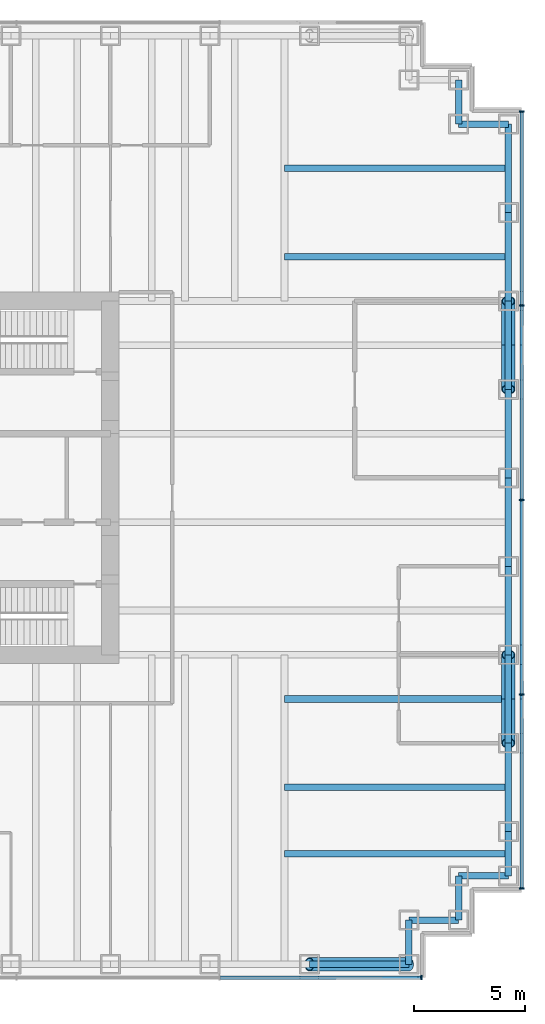
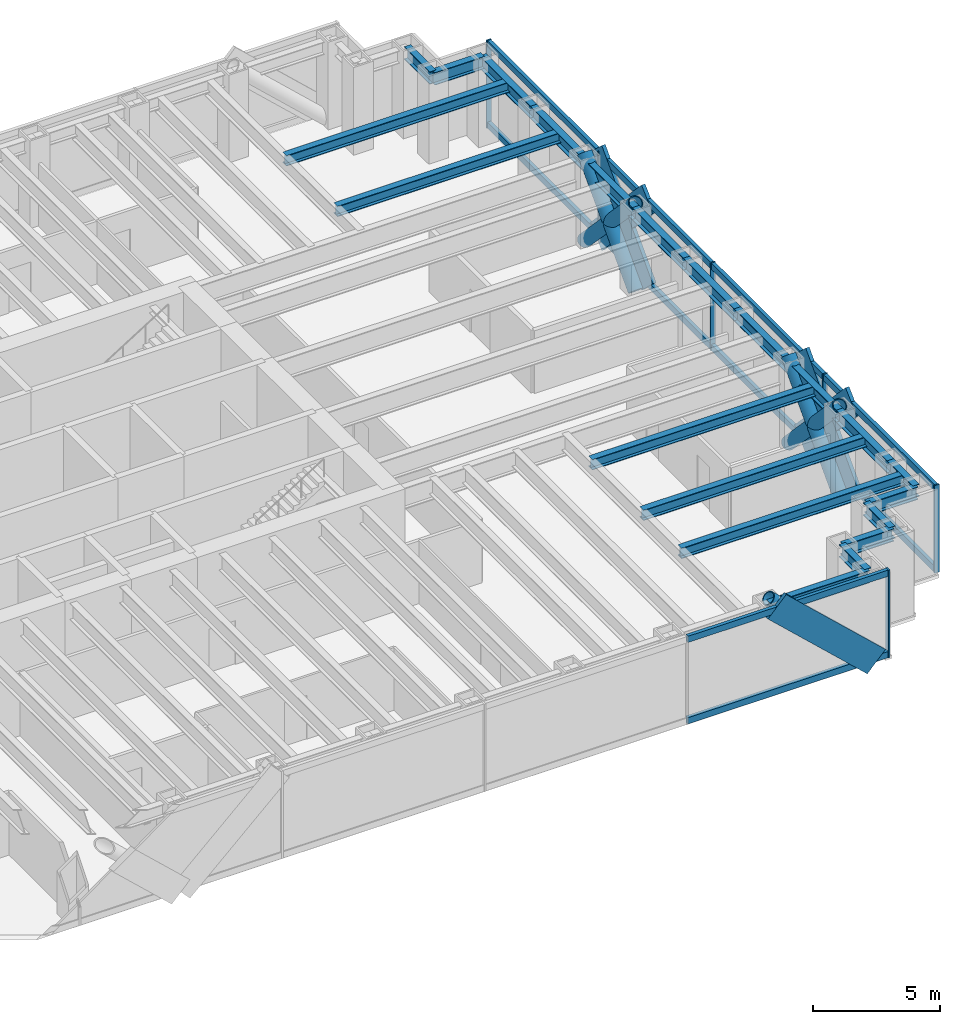
# One storey, part 7 of 18: 26 members, 21 beams, 2 elements without a shape of their own.
"""IFC4 building model written with IfcOpenShell, lengths in metres."""

from ifc_helpers import new_model, si_unit, direction, frame, origin, origin_2d, place, context, subcontext, project, spatial, rectangle, hollow_circle, i_section, extrude, material, material_profile, profile_set, type_object, element, aggregate, save


model = new_model("IFC4")

# Units and contexts
model_context = context("Model", 3, precision=1e-05, world=origin(), true_north=direction((0.0, 1.0)))
body_context = subcontext(model_context, "Body", "Model", "MODEL_VIEW")
ifc_project = project(units=[si_unit("LENGTHUNIT", "METRE"), si_unit("AREAUNIT", "SQUARE_METRE"), si_unit("VOLUMEUNIT", "CUBIC_METRE"), si_unit("PLANEANGLEUNIT", "RADIAN"), si_unit("MASSUNIT", "GRAM", prefix="KILO")], contexts=[model_context])

# Site, building, storey
site_placement = place(None, origin())
site = spatial("IfcSite", under=ifc_project, at=site_placement, CompositionType="ELEMENT")
building_placement = place(site_placement, origin())
building = spatial("IfcBuilding", under=site, at=building_placement, Name="Rheinbord Bourse Tower", CompositionType="ELEMENT")
storey_placement = place(building_placement, frame((0.0, 0.0, 244.60009765625)))
storey = spatial("IfcBuildingStorey", under=building, at=storey_placement, Name="L55", CompositionType="ELEMENT", Elevation=244.60009765625)

# Curtain wall, member
ifc_material_1 = material(Name="Dark glass and black aluminium", Category="aluminium")
curtain_wall_type = type_object("IfcCurtainWallType", Name="CW2 DARK GLASS CURTAIN WALL", PredefinedType="USERDEFINED", material=ifc_material_1)
curtain_wall_1_placement = place(storey_placement, origin())
curtain_wall_1 = element("IfcCurtainWall", 1, at=curtain_wall_1_placement, inside=storey, type_object=curtain_wall_type, Name="Curtain wall CW2 S L55", ObjectType="UNITISED CURTAIN WALL", PredefinedType="USERDEFINED")
ifc_material_2 = material(Name="Black anodised aluminium", Category="aluminium")
ifc_material_profile_1 = material_profile(ifc_material_2, rectangle(XDim=0.159912109375, YDim=1.2099609375, at=origin_2d()), Name="CW2 DIAGONAL MULLION 1210x160")
ifc_profile_set_1 = profile_set([ifc_material_profile_1], Name="Black anodised aluminium")
member_type_1 = type_object("IfcMemberType", Name="CW2 BLACK DIAGONAL MULLION", PredefinedType="USERDEFINED", material=ifc_profile_set_1)
member_1_placement = place(storey_placement, frame((67.5, 1.39990234375, 0.0), z_axis=(-0.73105922506, 0.0, 0.682314010889), x_axis=(0.0, -1.0, 0.0)))
member_1 = element("IfcMember", 2, at=member_1_placement, type_object=member_type_1, Name="CW2 diagonal mullion b", ObjectType="DIAGONAL MULLION", PredefinedType="USERDEFINED", context=body_context, shape_type="SweptSolid", body=[
    extrude(rectangle(XDim=0.159912109375, YDim=1.2099609375, at=origin_2d()), origin(), (0.0, 0.0, 1.0), 6.155517578125),
])

# Curtain wall, members
curtain_wall_2_placement = place(storey_placement, origin())
curtain_wall_2 = element("IfcCurtainWall", 3, at=curtain_wall_2_placement, inside=storey, type_object=curtain_wall_type, Name="Curtain wall CW2 E L55", ObjectType="UNITISED CURTAIN WALL", PredefinedType="USERDEFINED")
member_2_placement = place(storey_placement, frame((72.60009765625, 12.0, 0.0), z_axis=(0.0, 0.689659376744, 0.724133926887), x_axis=(-1.0, 0.0, 0.0)))
member_2 = element("IfcMember", 4, at=member_2_placement, type_object=member_type_1, Name="CW2 diagonal mullion a", ObjectType="DIAGONAL MULLION", PredefinedType="USERDEFINED", context=body_context, shape_type="SweptSolid", body=[
    extrude(rectangle(XDim=0.159912109375, YDim=1.2099609375, at=origin_2d()), origin(), (0.0, 0.0, 1.0), 5.800048828125),
])
member_3_placement = place(storey_placement, frame((72.60009765625, 32.0, 0.0), z_axis=(0.0, -0.689659376744, 0.724133926887), x_axis=(1.0, 0.0, 0.0)))
member_3 = element("IfcMember", 5, at=member_3_placement, type_object=member_type_1, Name="CW2 diagonal mullion b", ObjectType="DIAGONAL MULLION", PredefinedType="USERDEFINED", context=body_context, shape_type="SweptSolid", body=[
    extrude(rectangle(XDim=0.159912109375, YDim=1.2099609375, at=origin_2d()), origin(), (0.0, 0.0, 1.0), 5.800048828125),
])
member_4_placement = place(storey_placement, frame((72.60009765625, 28.0, 0.0), z_axis=(0.0, 0.689659376744, 0.724133926887), x_axis=(-1.0, 0.0, 0.0)))
member_4 = element("IfcMember", 6, at=member_4_placement, type_object=member_type_1, Name="CW2 diagonal mullion c", ObjectType="DIAGONAL MULLION", PredefinedType="USERDEFINED", context=body_context, shape_type="SweptSolid", body=[
    extrude(rectangle(XDim=0.159912109375, YDim=1.2099609375, at=origin_2d()), origin(), (0.0, 0.0, 1.0), 5.800048828125),
])
member_5_placement = place(storey_placement, frame((72.60009765625, 16.0, 0.0), z_axis=(0.0, -0.689659376744, 0.724133926887), x_axis=(1.0, 0.0, 0.0)))
member_5 = element("IfcMember", 7, at=member_5_placement, type_object=member_type_1, Name="CW2 diagonal mullion d", ObjectType="DIAGONAL MULLION", PredefinedType="USERDEFINED", context=body_context, shape_type="SweptSolid", body=[
    extrude(rectangle(XDim=0.159912109375, YDim=1.2099609375, at=origin_2d()), origin(), (0.0, 0.0, 1.0), 5.800048828125),
])

# Member
ifc_material_3 = material(Name="Black anodised aluminium", Category="aluminium")
ifc_material_profile_2 = material_profile(ifc_material_3, rectangle(XDim=0.219970703125, YDim=0.070068359375, at=origin_2d()), Name="CW2 MULLION 70x220")
ifc_profile_set_2 = profile_set([ifc_material_profile_2], Name="Black anodised aluminium")
member_type_2 = type_object("IfcMemberType", Name="CW2 BLACK MULLION", PredefinedType="MULLION", material=ifc_profile_set_2)
member_6_placement = place(storey_placement, frame((68.06494140625, 1.39990234375, 0.0), z_axis=(0.0, 0.0, 1.0), x_axis=(0.0, 1.0, 0.0)))
member_6 = element("IfcMember", 8, at=member_6_placement, type_object=member_type_2, Name="CW2 mullion 8", PredefinedType="MULLION", context=body_context, shape_type="SweptSolid", body=[
    extrude(rectangle(XDim=0.219970703125, YDim=0.070068359375, at=origin_2d()), origin(), (0.0, 0.0, 1.0), 4.199951171875),
])

member_7_placement = place(storey_placement, frame((72.60009765625, 5.43505859375, 0.0), z_axis=(0.0, 0.0, 1.0), x_axis=(-1.0, 0.0, 0.0)))
member_7 = element("IfcMember", 9, at=member_7_placement, type_object=member_type_2, Name="CW2 mullion 1", PredefinedType="MULLION", context=body_context, shape_type="SweptSolid", body=[
    extrude(rectangle(XDim=0.219970703125, YDim=0.070068359375, at=origin_2d()), origin(), (0.0, 0.0, 1.0), 4.199951171875),
])

member_8_placement = place(storey_placement, frame((72.60009765625, 14.199951171875, 0.0), z_axis=(0.0, 0.0, 1.0), x_axis=(-1.0, 0.0, 0.0)))
member_8 = element("IfcMember", 10, at=member_8_placement, type_object=member_type_2, Name="CW2 mullion 2", PredefinedType="MULLION", context=body_context, shape_type="SweptSolid", body=[
    extrude(rectangle(XDim=0.219970703125, YDim=0.070068359375, at=origin_2d()), origin(), (0.0, 0.0, 1.0), 4.199951171875),
])

member_9_placement = place(storey_placement, frame((72.60009765625, 23.0, 0.0), z_axis=(0.0, 0.0, 1.0), x_axis=(-1.0, 0.0, 0.0)))
member_9 = element("IfcMember", 11, at=member_9_placement, type_object=member_type_2, Name="CW2 mullion 3", PredefinedType="MULLION", context=body_context, shape_type="SweptSolid", body=[
    extrude(rectangle(XDim=0.219970703125, YDim=0.070068359375, at=origin_2d()), origin(), (0.0, 0.0, 1.0), 4.199951171875),
])

member_10_placement = place(storey_placement, frame((72.60009765625, 31.800048828125, 0.0), z_axis=(0.0, 0.0, 1.0), x_axis=(-1.0, 0.0, 0.0)))
member_10 = element("IfcMember", 12, at=member_10_placement, type_object=member_type_2, Name="CW2 mullion 4", PredefinedType="MULLION", context=body_context, shape_type="SweptSolid", body=[
    extrude(rectangle(XDim=0.219970703125, YDim=0.070068359375, at=origin_2d()), origin(), (0.0, 0.0, 1.0), 4.199951171875),
])

member_11_placement = place(storey_placement, frame((72.60009765625, 40.56494140625, 0.0), z_axis=(0.0, 0.0, 1.0), x_axis=(-1.0, 0.0, 0.0)))
member_11 = element("IfcMember", 13, at=member_11_placement, type_object=member_type_2, Name="CW2 mullion 5", PredefinedType="MULLION", context=body_context, shape_type="SweptSolid", body=[
    extrude(rectangle(XDim=0.219970703125, YDim=0.070068359375, at=origin_2d()), origin(), (0.0, 0.0, 1.0), 4.199951171875),
])

ifc_material_4 = material(Name="Black anodised aluminium", Category="aluminium")
ifc_material_profile_3 = material_profile(ifc_material_4, rectangle(XDim=0.159912109375, YDim=0.300048828125, at=origin_2d()), Name="CW2 TRANSOM 300x160")
ifc_profile_set_3 = profile_set([ifc_material_profile_3], Name="Black anodised aluminium")
member_type_3 = type_object("IfcMemberType", Name="CW2 BLACK TRANSOM", PredefinedType="USERDEFINED", material=ifc_profile_set_3)
member_12_placement = place(storey_placement, frame((58.963623046875, 1.39990234375, 0.14990234375), z_axis=(1.0, 0.0, 0.0), x_axis=(0.0, 1.0, 0.0)))
member_12 = element("IfcMember", 14, at=member_12_placement, type_object=member_type_3, Name="CW2 transom 7.1", ObjectType="TRANSOM", PredefinedType="USERDEFINED", context=body_context, shape_type="SweptSolid", body=[
    extrude(rectangle(XDim=0.159912109375, YDim=0.300048828125, at=origin_2d()), origin(), (0.0, 0.0, 1.0), 9.06640625),
])

member_13_placement = place(storey_placement, frame((58.963623046875, 1.39990234375, 4.0498046875), z_axis=(1.0, 0.0, 0.0), x_axis=(0.0, 1.0, 0.0)))
member_13 = element("IfcMember", 15, at=member_13_placement, type_object=member_type_3, Name="CW2 transom 7.2", ObjectType="TRANSOM", PredefinedType="USERDEFINED", context=body_context, shape_type="SweptSolid", body=[
    extrude(rectangle(XDim=0.159912109375, YDim=0.300048828125, at=origin_2d()), origin(), (0.0, 0.0, 1.0), 9.06640625),
])

aggregate(curtain_wall_1, [member_6, member_12, member_13, member_1])

member_14_placement = place(storey_placement, frame((72.60009765625, 5.469970703125, 0.14990234375), z_axis=(0.0, 1.0, 0.0), x_axis=(-1.0, 0.0, 0.0)))
member_14 = element("IfcMember", 16, at=member_14_placement, type_object=member_type_3, Name="CW2 transom 1.1", ObjectType="TRANSOM", PredefinedType="USERDEFINED", context=body_context, shape_type="SweptSolid", body=[
    extrude(rectangle(XDim=0.159912109375, YDim=0.300048828125, at=origin_2d()), origin(), (0.0, 0.0, 1.0), 8.695068359375),
])

member_15_placement = place(storey_placement, frame((72.60009765625, 5.469970703125, 4.0498046875), z_axis=(0.0, 1.0, 0.0), x_axis=(-1.0, 0.0, 0.0)))
member_15 = element("IfcMember", 17, at=member_15_placement, type_object=member_type_3, Name="CW2 transom 1.2", ObjectType="TRANSOM", PredefinedType="USERDEFINED", context=body_context, shape_type="SweptSolid", body=[
    extrude(rectangle(XDim=0.159912109375, YDim=0.300048828125, at=origin_2d()), origin(), (0.0, 0.0, 1.0), 8.695068359375),
])

member_16_placement = place(storey_placement, frame((72.60009765625, 14.235107421875, 0.14990234375), z_axis=(0.0, 1.0, 0.0), x_axis=(-1.0, 0.0, 0.0)))
member_16 = element("IfcMember", 18, at=member_16_placement, type_object=member_type_3, Name="CW2 transom 2.1", ObjectType="TRANSOM", PredefinedType="USERDEFINED", context=body_context, shape_type="SweptSolid", body=[
    extrude(rectangle(XDim=0.159912109375, YDim=0.300048828125, at=origin_2d()), origin(), (0.0, 0.0, 1.0), 8.72998046875),
])

member_17_placement = place(storey_placement, frame((72.60009765625, 14.235107421875, 4.0498046875), z_axis=(0.0, 1.0, 0.0), x_axis=(-1.0, 0.0, 0.0)))
member_17 = element("IfcMember", 19, at=member_17_placement, type_object=member_type_3, Name="CW2 transom 2.2", ObjectType="TRANSOM", PredefinedType="USERDEFINED", context=body_context, shape_type="SweptSolid", body=[
    extrude(rectangle(XDim=0.159912109375, YDim=0.300048828125, at=origin_2d()), origin(), (0.0, 0.0, 1.0), 8.72998046875),
])

member_18_placement = place(storey_placement, frame((72.60009765625, 23.034912109375, 0.14990234375), z_axis=(0.0, 1.0, 0.0), x_axis=(-1.0, 0.0, 0.0)))
member_18 = element("IfcMember", 20, at=member_18_placement, type_object=member_type_3, Name="CW2 transom 3.1", ObjectType="TRANSOM", PredefinedType="USERDEFINED", context=body_context, shape_type="SweptSolid", body=[
    extrude(rectangle(XDim=0.159912109375, YDim=0.300048828125, at=origin_2d()), origin(), (0.0, 0.0, 1.0), 8.72998046875),
])

member_19_placement = place(storey_placement, frame((72.60009765625, 23.034912109375, 4.0498046875), z_axis=(0.0, 1.0, 0.0), x_axis=(-1.0, 0.0, 0.0)))
member_19 = element("IfcMember", 21, at=member_19_placement, type_object=member_type_3, Name="CW2 transom 3.2", ObjectType="TRANSOM", PredefinedType="USERDEFINED", context=body_context, shape_type="SweptSolid", body=[
    extrude(rectangle(XDim=0.159912109375, YDim=0.300048828125, at=origin_2d()), origin(), (0.0, 0.0, 1.0), 8.72998046875),
])

member_20_placement = place(storey_placement, frame((72.60009765625, 31.8349609375, 0.14990234375), z_axis=(0.0, 1.0, 0.0), x_axis=(-1.0, 0.0, 0.0)))
member_20 = element("IfcMember", 22, at=member_20_placement, type_object=member_type_3, Name="CW2 transom 4.1", ObjectType="TRANSOM", PredefinedType="USERDEFINED", context=body_context, shape_type="SweptSolid", body=[
    extrude(rectangle(XDim=0.159912109375, YDim=0.300048828125, at=origin_2d()), origin(), (0.0, 0.0, 1.0), 8.695068359375),
])

member_21_placement = place(storey_placement, frame((72.60009765625, 31.8349609375, 4.0498046875), z_axis=(0.0, 1.0, 0.0), x_axis=(-1.0, 0.0, 0.0)))
member_21 = element("IfcMember", 23, at=member_21_placement, type_object=member_type_3, Name="CW2 transom 4.2", ObjectType="TRANSOM", PredefinedType="USERDEFINED", context=body_context, shape_type="SweptSolid", body=[
    extrude(rectangle(XDim=0.159912109375, YDim=0.300048828125, at=origin_2d()), origin(), (0.0, 0.0, 1.0), 8.695068359375),
])

aggregate(curtain_wall_2, [member_7, member_8, member_9, member_10, member_11, member_14, member_15, member_16, member_17, member_18, member_19, member_20, member_21, member_2, member_3, member_4, member_5])

# Members
ifc_material_5 = material(Name="Steel S460", Category="steel")
ifc_material_profile_4 = material_profile(ifc_material_5, hollow_circle(Radius=0.304931640625, WallThickness=0.0400390625, at=origin_2d()), Name="CHS 610x40")
ifc_profile_set_4 = profile_set([ifc_material_profile_4], Name="Steel S460")
member_type_4 = type_object("IfcMemberType", Name="MEGABRACE CHS 610x40", PredefinedType="BRACE", material=ifc_profile_set_4)
member_22_placement = place(storey_placement, frame((67.5, 2.0, 0.0), z_axis=(-0.73105922506, 0.0, 0.682314010889), x_axis=(0.0, -1.0, 0.0)))
element("IfcMember", 24, at=member_22_placement, inside=storey, type_object=member_type_4, Name="Megabrace S face line b L55", PredefinedType="BRACE", context=body_context, shape_type="SweptSolid", body=[
    extrude(hollow_circle(Radius=0.304931640625, WallThickness=0.0400390625, at=origin_2d()), origin(), (0.0, 0.0, 1.0), 6.155517578125),
])
for number, where, z_axis, x_axis, name in (
    (25, (72.0, 12.0, 0.0), (0.0, 0.689659376744, 0.724133926887), (-1.0, 0.0, 0.0), "Megabrace E face line a L55"),
    (26, (72.0, 32.0, 0.0), (0.0, -0.689659376744, 0.724133926887), (1.0, 0.0, 0.0), "Megabrace E face line b L55"),
    (27, (72.0, 28.0, 0.0), (0.0, 0.689659376744, 0.724133926887), (-1.0, 0.0, 0.0), "Megabrace E face line c L55"),
    (28, (72.0, 16.0, 0.0), (0.0, -0.689659376744, 0.724133926887), (1.0, 0.0, 0.0), "Megabrace E face line d L55"),
):
    element("IfcMember", number, at=place(storey_placement, frame(where, z_axis=z_axis, x_axis=x_axis)), inside=storey, type_object=member_type_4, Name=name, PredefinedType="BRACE", context=body_context, shape_type="SweptSolid", body=[
        extrude(hollow_circle(Radius=0.304931640625, WallThickness=0.0400390625, at=origin_2d()), origin(), (0.0, 0.0, 1.0), 5.800048828125),
    ])

# Beams
ifc_material_6 = material(Name="Steel S460", Category="steel")
ifc_material_profile_5 = material_profile(ifc_material_6, i_section(OverallWidth=0.300048828125, OverallDepth=0.60009765625, WebThickness=0.015380859375, FlangeThickness=0.030029296875, at=origin_2d()), Name="HEB 600")
ifc_profile_set_5 = profile_set([ifc_material_profile_5], Name="Steel S460")
beam_type_1 = type_object("IfcBeamType", Name="SPANDREL HEB 600", PredefinedType="SPANDREL", material=ifc_profile_set_5)
beam_1_placement = place(storey_placement, frame((63.0, 2.0, 3.739990234375), z_axis=(1.0, 0.0, 0.0), x_axis=(0.0, 1.0, 0.0)))
element("IfcBeam", 29, at=beam_1_placement, inside=storey, type_object=beam_type_1, Name="Spandrel S-63-SE-E under L56", PredefinedType="SPANDREL", context=body_context, shape_type="SweptSolid", body=[
    extrude(i_section(OverallWidth=0.300048828125, OverallDepth=0.60009765625, WebThickness=0.015380859375, FlangeThickness=0.030029296875, at=origin_2d()), origin(), (0.0, 0.0, 1.0), 4.5),
])
beam_2_placement = place(storey_placement, frame((67.5, 2.0, 3.739990234375), z_axis=(0.0, 1.0, 0.0), x_axis=(-1.0, 0.0, 0.0)))
element("IfcBeam", 30, at=beam_2_placement, inside=storey, type_object=beam_type_1, Name="Spandrel SE-E-SE-D under L56", PredefinedType="SPANDREL", context=body_context, shape_type="SweptSolid", body=[
    extrude(i_section(OverallWidth=0.300048828125, OverallDepth=0.60009765625, WebThickness=0.015380859375, FlangeThickness=0.030029296875, at=origin_2d()), origin(), (0.0, 0.0, 1.0), 2.0),
])
beam_3_placement = place(storey_placement, frame((67.5, 4.0, 3.739990234375), z_axis=(1.0, 0.0, 0.0), x_axis=(0.0, 1.0, 0.0)))
element("IfcBeam", 31, at=beam_3_placement, inside=storey, type_object=beam_type_1, Name="Spandrel SE-D-SE-C under L56", PredefinedType="SPANDREL", context=body_context, shape_type="SweptSolid", body=[
    extrude(i_section(OverallWidth=0.300048828125, OverallDepth=0.60009765625, WebThickness=0.015380859375, FlangeThickness=0.030029296875, at=origin_2d()), origin(), (0.0, 0.0, 1.0), 2.25),
])
beam_4_placement = place(storey_placement, frame((69.75, 4.0, 3.739990234375), z_axis=(0.0, 1.0, 0.0), x_axis=(-1.0, 0.0, 0.0)))
element("IfcBeam", 32, at=beam_4_placement, inside=storey, type_object=beam_type_1, Name="Spandrel SE-C-SE-B under L56", PredefinedType="SPANDREL", context=body_context, shape_type="SweptSolid", body=[
    extrude(i_section(OverallWidth=0.300048828125, OverallDepth=0.60009765625, WebThickness=0.015380859375, FlangeThickness=0.030029296875, at=origin_2d()), origin(), (0.0, 0.0, 1.0), 2.0),
])
beam_5_placement = place(storey_placement, frame((69.75, 6.0, 3.739990234375), z_axis=(1.0, 0.0, 0.0), x_axis=(0.0, 1.0, 0.0)))
element("IfcBeam", 33, at=beam_5_placement, inside=storey, type_object=beam_type_1, Name="Spandrel SE-B-SE-A under L56", PredefinedType="SPANDREL", context=body_context, shape_type="SweptSolid", body=[
    extrude(i_section(OverallWidth=0.300048828125, OverallDepth=0.60009765625, WebThickness=0.015380859375, FlangeThickness=0.030029296875, at=origin_2d()), origin(), (0.0, 0.0, 1.0), 2.25),
])
beam_6_placement = place(storey_placement, frame((72.0, 6.0, 3.739990234375), z_axis=(0.0, 1.0, 0.0), x_axis=(-1.0, 0.0, 0.0)))
element("IfcBeam", 34, at=beam_6_placement, inside=storey, type_object=beam_type_1, Name="Spandrel SE-A-E-8 under L56", PredefinedType="SPANDREL", context=body_context, shape_type="SweptSolid", body=[
    extrude(i_section(OverallWidth=0.300048828125, OverallDepth=0.60009765625, WebThickness=0.015380859375, FlangeThickness=0.030029296875, at=origin_2d()), origin(), (0.0, 0.0, 1.0), 2.0),
])
for number, where, z_axis, x_axis, name in (
    (35, (72.0, 8.0, 3.739990234375), (0.0, 1.0, 0.0), (-1.0, 0.0, 0.0), "Spandrel E-8-E-12 under L56"),
    (36, (72.0, 12.0, 3.739990234375), (0.0, 1.0, 0.0), (-1.0, 0.0, 0.0), "Spandrel E-12-E-16 under L56"),
    (37, (72.0, 16.0, 3.739990234375), (0.0, 1.0, 0.0), (-1.0, 0.0, 0.0), "Spandrel E-16-E-20 under L56"),
    (38, (72.0, 20.0, 3.739990234375), (0.0, 1.0, 0.0), (-1.0, 0.0, 0.0), "Spandrel E-20-E-24 under L56"),
    (39, (72.0, 24.0, 3.739990234375), (0.0, 1.0, 0.0), (-1.0, 0.0, 0.0), "Spandrel E-24-E-28 under L56"),
    (40, (72.0, 28.0, 3.739990234375), (0.0, 1.0, 0.0), (-1.0, 0.0, 0.0), "Spandrel E-28-E-32 under L56"),
    (41, (72.0, 32.0, 3.739990234375), (0.0, 1.0, 0.0), (-1.0, 0.0, 0.0), "Spandrel E-32-E-36 under L56"),
    (42, (72.0, 36.0, 3.739990234375), (0.0, 1.0, 0.0), (-1.0, 0.0, 0.0), "Spandrel E-36-NE-A under L56"),
):
    element("IfcBeam", number, at=place(storey_placement, frame(where, z_axis=z_axis, x_axis=x_axis)), inside=storey, type_object=beam_type_1, Name=name, PredefinedType="SPANDREL", context=body_context, shape_type="SweptSolid", body=[
        extrude(i_section(OverallWidth=0.300048828125, OverallDepth=0.60009765625, WebThickness=0.015380859375, FlangeThickness=0.030029296875, at=origin_2d()), origin(), (0.0, 0.0, 1.0), 4.0),
    ])
beam_7_placement = place(storey_placement, frame((72.0, 40.0, 3.739990234375), z_axis=(-1.0, 0.0, 0.0), x_axis=(0.0, -1.0, 0.0)))
element("IfcBeam", 43, at=beam_7_placement, inside=storey, type_object=beam_type_1, Name="Spandrel NE-A-NE-B under L56", PredefinedType="SPANDREL", context=body_context, shape_type="SweptSolid", body=[
    extrude(i_section(OverallWidth=0.300048828125, OverallDepth=0.60009765625, WebThickness=0.015380859375, FlangeThickness=0.030029296875, at=origin_2d()), origin(), (0.0, 0.0, 1.0), 2.25),
])
beam_8_placement = place(storey_placement, frame((69.75, 40.0, 3.739990234375), z_axis=(0.0, 1.0, 0.0), x_axis=(-1.0, 0.0, 0.0)))
element("IfcBeam", 44, at=beam_8_placement, inside=storey, type_object=beam_type_1, Name="Spandrel NE-B-NE-C under L56", PredefinedType="SPANDREL", context=body_context, shape_type="SweptSolid", body=[
    extrude(i_section(OverallWidth=0.300048828125, OverallDepth=0.60009765625, WebThickness=0.015380859375, FlangeThickness=0.030029296875, at=origin_2d()), origin(), (0.0, 0.0, 1.0), 2.0),
])
ifc_material_7 = material(Name="Steel S460", Category="steel")
ifc_material_profile_6 = material_profile(ifc_material_7, i_section(OverallWidth=0.300048828125, OverallDepth=0.5, WebThickness=0.014404296875, FlangeThickness=0.028076171875, at=origin_2d()), Name="HEB 500")
ifc_profile_set_6 = profile_set([ifc_material_profile_6], Name="Steel S460")
beam_type_2 = type_object("IfcBeamType", Name="TIE BEAM HEB 500", PredefinedType="JOIST", material=ifc_profile_set_6)
for number, where, z_axis, x_axis, name in (
    (45, (61.875, 7.0, 3.789794921875), (1.0, 0.0, 0.0), (0.0, 1.0, 0.0), "Tie east 7 L56"),
    (46, (61.875, 10.0, 3.789794921875), (1.0, 0.0, 0.0), (0.0, 1.0, 0.0), "Tie east 10 L56"),
    (47, (61.875, 14.0, 3.789794921875), (1.0, 0.0, 0.0), (0.0, 1.0, 0.0), "Tie east 14 L56"),
    (48, (61.875, 34.0, 3.789794921875), (1.0, 0.0, 0.0), (0.0, 1.0, 0.0), "Tie east 34 L56"),
    (49, (61.875, 38.0, 3.789794921875), (1.0, 0.0, 0.0), (0.0, 1.0, 0.0), "Tie east 38 L56"),
):
    element("IfcBeam", number, at=place(storey_placement, frame(where, z_axis=z_axis, x_axis=x_axis)), inside=storey, type_object=beam_type_2, Name=name, PredefinedType="JOIST", context=body_context, shape_type="SweptSolid", body=[
        extrude(i_section(OverallWidth=0.300048828125, OverallDepth=0.5, WebThickness=0.014404296875, FlangeThickness=0.028076171875, at=origin_2d()), origin(), (0.0, 0.0, 1.0), 10.125),
    ])

save(model, "model.ifc")
